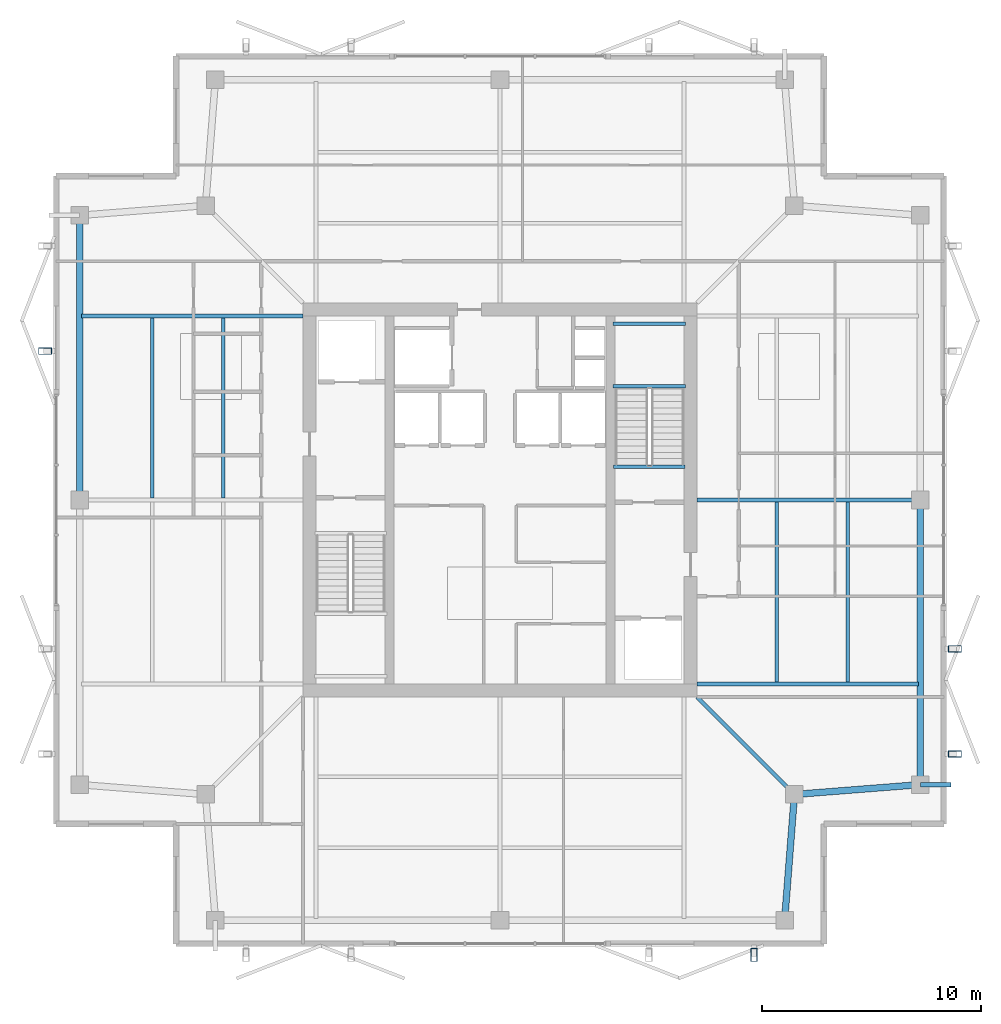
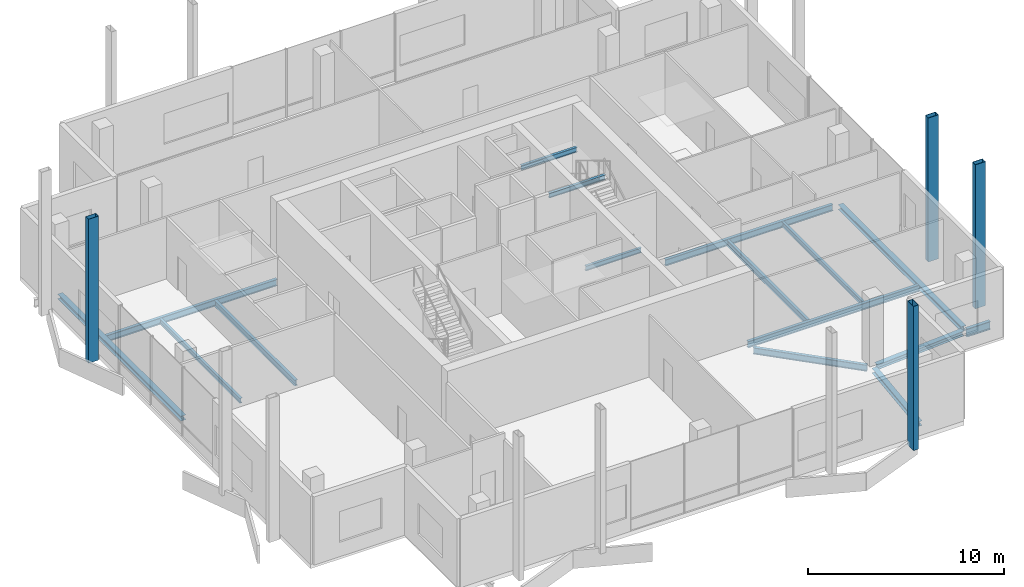
# One storey, part 6 of 15: 16 beams, 4 members.
"""IFC4 building model written with IfcOpenShell, lengths in metres."""

from ifc_helpers import new_model, si_unit, direction, frame, origin, origin_2d, place, context, subcontext, project, spatial, hollow_rectangle, i_section, extrude, material, material_profile, profile_set, type_object, element, save


model = new_model("IFC4")

# Units and contexts
model_context = context("Model", 3, precision=1e-05, world=origin(), true_north=direction((0.0, 1.0)))
body_context = subcontext(model_context, "Body", "Model", "MODEL_VIEW")
ifc_project = project(units=[si_unit("LENGTHUNIT", "METRE"), si_unit("AREAUNIT", "SQUARE_METRE"), si_unit("VOLUMEUNIT", "CUBIC_METRE"), si_unit("PLANEANGLEUNIT", "RADIAN"), si_unit("MASSUNIT", "GRAM", prefix="KILO")], contexts=[model_context])

# Site, building, storey
site_placement = place(None, origin())
site = spatial("IfcSite", under=ifc_project, at=site_placement, CompositionType="ELEMENT")
building_placement = place(site_placement, origin())
building = spatial("IfcBuilding", under=site, at=building_placement, Name="Belovzor Exchange Tower", CompositionType="ELEMENT")
storey_placement = place(building_placement, frame((0.0, 0.0, 360.0)))
storey = spatial("IfcBuildingStorey", under=building, at=storey_placement, Name="L90", CompositionType="ELEMENT", Elevation=360.0)

# Beams
ifc_material_1 = material(Name="Steel S355", Category="steel")
ifc_material_profile_1 = material_profile(ifc_material_1, i_section(OverallWidth=0.199951171875, OverallDepth=0.5, WebThickness=0.01025390625, FlangeThickness=0.01611328125, at=origin_2d()))
ifc_profile_set_1 = profile_set([ifc_material_profile_1], Name="Steel S355")
beam_type_1 = type_object("IfcBeamType", Name="Planted Balcony Cantilever Beam IPE 500", PredefinedType="BEAM", material=ifc_profile_set_1)
beam_1_placement = place(storey_placement, frame((48.0, 15.800048828125, -0.510009765625), z_axis=(1.0, 0.0, 0.0), x_axis=(0.0, 1.0, 0.0)))
element("IfcBeam", 1, at=beam_1_placement, inside=storey, type_object=beam_type_1, Name="BC-500 Planted Balcony Cantilever Beam IPE 500", PredefinedType="BEAM", context=body_context, shape_type="SweptSolid", body=[
    extrude(i_section(OverallWidth=0.199951171875, OverallDepth=0.5, WebThickness=0.01025390625, FlangeThickness=0.01611328125, at=origin_2d()), origin(), (0.0, 0.0, 1.0), 1.39990234375),
])
ifc_material_2 = material(Name="Steel S355", Category="steel")
ifc_material_profile_2 = material_profile(ifc_material_2, i_section(OverallWidth=0.169921875, OverallDepth=0.360107421875, WebThickness=0.008056640625, FlangeThickness=0.0126953125, at=origin_2d()))
ifc_profile_set_2 = profile_set([ifc_material_profile_2], Name="Steel S355")
beam_type_2 = type_object("IfcBeamType", Name="Secondary Infill Floor Joist IPE 360", PredefinedType="BEAM", material=ifc_profile_set_2)
beam_2_placement = place(storey_placement, frame((16.155029296875, 28.889892578125, -0.43994140625), z_axis=(0.0, 1.0, 0.0), x_axis=(-1.0, 0.0, 0.0)))
element("IfcBeam", 2, at=beam_2_placement, inside=storey, type_object=beam_type_2, Name="FJ-360 Secondary Infill Floor Joist IPE 360", PredefinedType="BEAM", context=body_context, shape_type="SweptSolid", body=[
    extrude(i_section(OverallWidth=0.169921875, OverallDepth=0.360107421875, WebThickness=0.008056640625, FlangeThickness=0.0126953125, at=origin_2d()), origin(), (0.0, 0.0, 1.0), 8.22021484375),
])
beam_3_placement = place(storey_placement, frame((41.445068359375, 20.489990234375, -0.43994140625), z_axis=(0.0, 1.0, 0.0), x_axis=(-1.0, 0.0, 0.0)))
element("IfcBeam", 3, at=beam_3_placement, inside=storey, type_object=beam_type_2, Name="FJ-360 Secondary Infill Floor Joist IPE 360", PredefinedType="BEAM", context=body_context, shape_type="SweptSolid", body=[
    extrude(i_section(OverallWidth=0.169921875, OverallDepth=0.360107421875, WebThickness=0.008056640625, FlangeThickness=0.0126953125, at=origin_2d()), origin(), (0.0, 0.0, 1.0), 8.219970703125),
])
ifc_material_3 = material(Name="Steel S355", Category="steel")
ifc_material_profile_3 = material_profile(ifc_material_3, i_section(OverallWidth=0.14990234375, OverallDepth=0.300048828125, WebThickness=0.007080078125, FlangeThickness=0.0107421875, at=origin_2d()))
ifc_profile_set_3 = profile_set([ifc_material_profile_3], Name="Steel S355")
beam_type_3 = type_object("IfcBeamType", Name="Secondary Trim Floor Joist IPE 300", PredefinedType="BEAM", material=ifc_profile_set_3)
for number, where, z_axis, x_axis, name in (
    (4, (37.280029296875, 34.0, 1.89990234375), (-1.0, 0.0, 0.0), (0.0, -1.0, 0.0), "FJ-300 Secondary Trim Floor Joist IPE 300"),
    (5, (37.280029296875, 36.85009765625, 1.89990234375), (-1.0, 0.0, 0.0), (0.0, -1.0, 0.0), "FJ-300 Secondary Trim Floor Joist IPE 300"),
):
    element("IfcBeam", number, at=place(storey_placement, frame(where, z_axis=z_axis, x_axis=x_axis)), inside=storey, type_object=beam_type_3, Name=name, PredefinedType="BEAM", context=body_context, shape_type="SweptSolid", body=[
        extrude(i_section(OverallWidth=0.14990234375, OverallDepth=0.300048828125, WebThickness=0.007080078125, FlangeThickness=0.0107421875, at=origin_2d()), origin(), (0.0, 0.0, 1.0), 3.31005859375),
    ])
beam_4_placement = place(storey_placement, frame((37.260009765625, 30.320068359375, -0.409912109375), z_axis=(-1.0, 0.0, 0.0), x_axis=(0.0, -1.0, 0.0)))
element("IfcBeam", 6, at=beam_4_placement, inside=storey, type_object=beam_type_3, Name="FJ-300 Secondary Trim Floor Joist IPE 300", PredefinedType="BEAM", context=body_context, shape_type="SweptSolid", body=[
    extrude(i_section(OverallWidth=0.14990234375, OverallDepth=0.300048828125, WebThickness=0.007080078125, FlangeThickness=0.0107421875, at=origin_2d()), origin(), (0.0, 0.0, 1.0), 3.27001953125),
])
beam_5_placement = place(storey_placement, frame((12.9150390625, 28.889892578125, -0.409912109375), z_axis=(0.0, 1.0, 0.0), x_axis=(-1.0, 0.0, 0.0)))
element("IfcBeam", 7, at=beam_5_placement, inside=storey, type_object=beam_type_3, Name="FJ-300 Secondary Trim Floor Joist IPE 300", PredefinedType="BEAM", context=body_context, shape_type="SweptSolid", body=[
    extrude(i_section(OverallWidth=0.14990234375, OverallDepth=0.300048828125, WebThickness=0.007080078125, FlangeThickness=0.0107421875, at=origin_2d()), origin(), (0.0, 0.0, 1.0), 8.22021484375),
])
beam_6_placement = place(storey_placement, frame((44.68505859375, 20.489990234375, -0.409912109375), z_axis=(0.0, 1.0, 0.0), x_axis=(-1.0, 0.0, 0.0)))
element("IfcBeam", 8, at=beam_6_placement, inside=storey, type_object=beam_type_3, Name="FJ-300 Secondary Trim Floor Joist IPE 300", PredefinedType="BEAM", context=body_context, shape_type="SweptSolid", body=[
    extrude(i_section(OverallWidth=0.14990234375, OverallDepth=0.300048828125, WebThickness=0.007080078125, FlangeThickness=0.0107421875, at=origin_2d()), origin(), (0.0, 0.0, 1.0), 8.219970703125),
])

# Members
ifc_material_4 = material(Name="Extruded Architectural Terracotta on Steel S355 Carrier", Category="masonry")
ifc_material_profile_4 = material_profile(ifc_material_4, hollow_rectangle(XDim=0.300048828125, YDim=0.60009765625, WallThickness=0.01611328125, at=origin_2d()))
ifc_profile_set_4 = profile_set([ifc_material_profile_4], Name="Extruded Architectural Terracotta on Steel S355 Carrier")
member_type = type_object("IfcMemberType", Name="Upper Crown Terracotta Fin Assembly 550", PredefinedType="USERDEFINED", material=ifc_profile_set_4)
for number, where, z_axis, x_axis, name in (
    (9, (49.574951171875, 17.199951171875, -0.260009765625), (0.0, 0.0, 1.0), (0.0, 1.0, 0.0), "FIN-TC055 Terracotta Facade Fin L90 E1"),
    (10, (49.574951171875, 22.0, -0.260009765625), (0.0, 0.0, 1.0), (0.0, 1.0, 0.0), "FIN-TC055 Terracotta Facade Fin L90 E2"),
    (11, (8.02490234375, 35.60009765625, -0.260009765625), (0.0, 0.0, 1.0), (0.0, 1.0, 0.0), "FIN-TC055 Terracotta Facade Fin L90 W3"),
    (12, (40.39990234375, 8.02490234375, -0.260009765625), (0.0, 0.0, 1.0), (1.0, 0.0, 0.0), "FIN-TC055 Terracotta Facade Fin L90 S4"),
):
    element("IfcMember", number, at=place(storey_placement, frame(where, z_axis=z_axis, x_axis=x_axis)), inside=storey, type_object=member_type, Name=name, ObjectType="FIN", PredefinedType="USERDEFINED", context=body_context, shape_type="SweptSolid", body=[
        extrude(hollow_rectangle(XDim=0.300048828125, YDim=0.60009765625, WallThickness=0.01611328125, at=origin_2d()), origin(), (0.0, 0.0, 1.0), 8.9599609375),
    ])

# Beams
ifc_material_5 = material(Name="Steel S355", Category="steel")
ifc_material_profile_5 = material_profile(ifc_material_5, i_section(OverallWidth=0.179931640625, OverallDepth=0.39990234375, WebThickness=0.008544921875, FlangeThickness=0.013427734375, at=origin_2d()))
ifc_profile_set_5 = profile_set([ifc_material_profile_5], Name="Steel S355")
beam_type_4 = type_object("IfcBeamType", Name="Zone 5-6 Radial Composite Floor Beam IPE 400", PredefinedType="BEAM", material=ifc_profile_set_5)
for number, where, z_axis, x_axis, name in (
    (13, (19.800048828125, 37.199951171875, -0.4599609375), (-1.0, 0.0, 0.0), (0.0, -1.0, 0.0), "FB-400 Zone 5-6 Radial Composite Floor Beam IPE 400"),
    (14, (37.800048828125, 20.39990234375, -0.4599609375), (1.0, 0.0, 0.0), (0.0, 1.0, 0.0), "FB-400 Zone 5-6 Radial Composite Floor Beam IPE 400"),
):
    element("IfcBeam", number, at=place(storey_placement, frame(where, z_axis=z_axis, x_axis=x_axis)), inside=storey, type_object=beam_type_4, Name=name, PredefinedType="BEAM", context=body_context, shape_type="SweptSolid", body=[
        extrude(i_section(OverallWidth=0.179931640625, OverallDepth=0.39990234375, WebThickness=0.008544921875, FlangeThickness=0.013427734375, at=origin_2d()), origin(), (0.0, 0.0, 1.0), 10.125),
    ])
beam_7_placement = place(storey_placement, frame((37.800048828125, 28.800048828125, -0.4599609375), z_axis=(1.0, 0.0, 0.0), x_axis=(0.0, 1.0, 0.0)))
element("IfcBeam", 15, at=beam_7_placement, inside=storey, type_object=beam_type_4, Name="FB-400 Zone 5-6 Radial Composite Floor Beam IPE 400", PredefinedType="BEAM", context=body_context, shape_type="SweptSolid", body=[
    extrude(i_section(OverallWidth=0.179931640625, OverallDepth=0.39990234375, WebThickness=0.008544921875, FlangeThickness=0.013427734375, at=origin_2d()), origin(), (0.0, 0.0, 1.0), 9.847900390625),
])
beam_8_placement = place(storey_placement, frame((37.800048828125, 19.800048828125, -0.4599609375), z_axis=(0.707106781187, -0.707106781187, 0.0), x_axis=(0.707106781187, 0.707106781187, 0.0)))
element("IfcBeam", 16, at=beam_8_placement, inside=storey, type_object=beam_type_4, Name="FB-400 Zone 5-6 Radial Composite Floor Beam IPE 400", PredefinedType="BEAM", context=body_context, shape_type="SweptSolid", body=[
    extrude(i_section(OverallWidth=0.179931640625, OverallDepth=0.39990234375, WebThickness=0.008544921875, FlangeThickness=0.013427734375, at=origin_2d()), origin(), (0.0, 0.0, 1.0), 6.010498046875),
])
ifc_material_6 = material(Name="Steel S355", Category="steel")
ifc_material_profile_6 = material_profile(ifc_material_6, i_section(OverallWidth=0.300048828125, OverallDepth=0.300048828125, WebThickness=0.008544921875, FlangeThickness=0.013916015625, at=origin_2d()))
ifc_profile_set_6 = profile_set([ifc_material_profile_6], Name="Steel S355")
beam_type_5 = type_object("IfcBeamType", Name="Zone 6 Primary Girder HEA 300", PredefinedType="BEAM", material=ifc_profile_set_6)
for number, where, z_axis, x_axis, name in (
    (17, (41.81689453125, 9.819091796875, -0.409912109375), (0.078076949164, 0.996947335625, 0.0), (-0.996947335625, 0.078076949164, 0.0), "FG-Z6 Zone 6 Primary Girder HEA 300"),
    (18, (42.468994140625, 15.366943359375, -0.409912109375), (0.996947335625, 0.078076949164, 0.0), (-0.078076949164, 0.996947335625, 0.0), "FG-Z6 Zone 6 Primary Girder HEA 300"),
):
    element("IfcBeam", number, at=place(storey_placement, frame(where, z_axis=z_axis, x_axis=x_axis)), inside=storey, type_object=beam_type_5, Name=name, PredefinedType="BEAM", context=body_context, shape_type="SweptSolid", body=[
        extrude(i_section(OverallWidth=0.300048828125, OverallDepth=0.300048828125, WebThickness=0.008544921875, FlangeThickness=0.013916015625, at=origin_2d()), origin(), (0.0, 0.0, 1.0), 5.328369140625),
    ])
for number, where, z_axis, x_axis, name in (
    (19, (48.0, 16.02001953125, -0.409912109375), (0.0, 1.0, 0.0), (-1.0, 0.0, 0.0), "FG-Z6 Zone 6 Primary Girder HEA 300"),
    (20, (9.60009765625, 41.580078125, -0.409912109375), (0.0, -1.0, 0.0), (1.0, 0.0, 0.0), "FG-Z6 Zone 6 Primary Girder HEA 300"),
):
    element("IfcBeam", number, at=place(storey_placement, frame(where, z_axis=z_axis, x_axis=x_axis)), inside=storey, type_object=beam_type_5, Name=name, PredefinedType="BEAM", context=body_context, shape_type="SweptSolid", body=[
        extrude(i_section(OverallWidth=0.300048828125, OverallDepth=0.300048828125, WebThickness=0.008544921875, FlangeThickness=0.013916015625, at=origin_2d()), origin(), (0.0, 0.0, 1.0), 12.56005859375),
    ])

save(model, "model.ifc")
